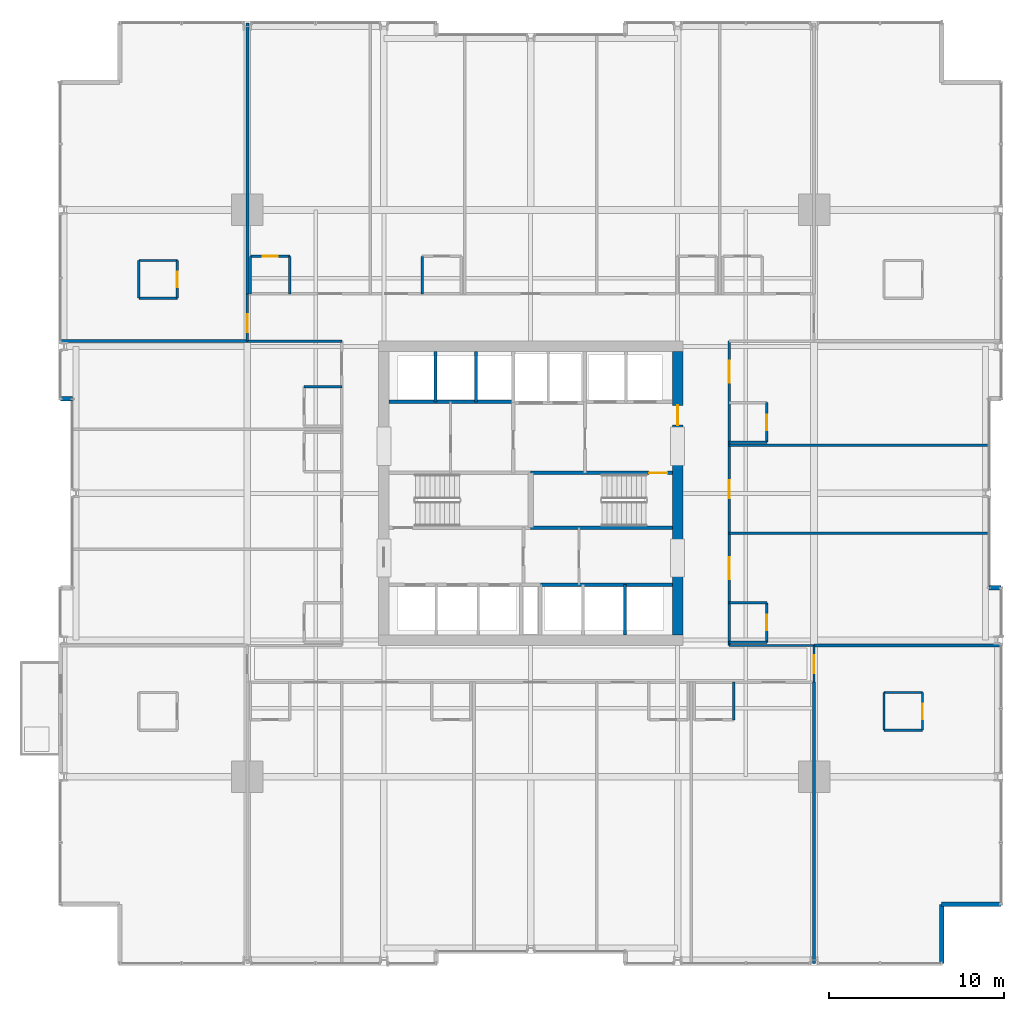
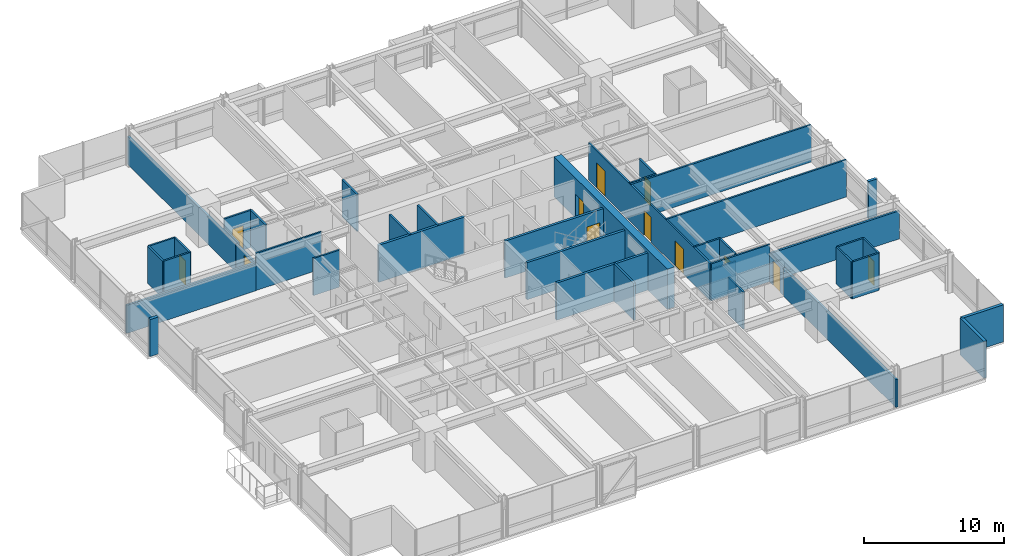
# One storey, part 32 of 38: 42 walls, 12 doors, 12 openings.
"""IFC4 building model written with IfcOpenShell, lengths in metres."""

from ifc_helpers import new_model, si_unit, direction, frame, frame_2d, origin, place, context, subcontext, project, spatial, rectangle, extrude, material, layer, layer_set, type_object, element, fill, save


model = new_model("IFC4")

# Units and contexts
model_context = context("Model", 3, precision=1e-05, world=origin(), true_north=direction((0.0, 1.0)))
body_context = subcontext(model_context, "Body", "Model", "MODEL_VIEW")
ifc_project = project(units=[si_unit("LENGTHUNIT", "METRE"), si_unit("AREAUNIT", "SQUARE_METRE"), si_unit("VOLUMEUNIT", "CUBIC_METRE"), si_unit("PLANEANGLEUNIT", "RADIAN"), si_unit("MASSUNIT", "GRAM", prefix="KILO")], contexts=[model_context])

# Site, building, storey
site_placement = place(None, origin())
site = spatial("IfcSite", under=ifc_project, at=site_placement, CompositionType="ELEMENT")
building_placement = place(site_placement, origin())
building = spatial("IfcBuilding", under=site, at=building_placement, Name="Drelvath Grand Hotel", CompositionType="ELEMENT")
storey_placement = place(building_placement, frame((0.0, 0.0, 61.199951171875)))
storey = spatial("IfcBuildingStorey", under=building, at=storey_placement, Name="L14", CompositionType="ELEMENT", Elevation=61.199951171875)

# Walls
ifc_material_1 = material(Name="Concrete C40/50", Category="concrete")
ifc_layer_1 = layer(ifc_material_1, 0.199951171875)
ifc_layer_set_1 = layer_set([ifc_layer_1], Name="Concrete C40/50")
wall_type_1 = type_object("IfcWallType", Name="Core Hoistway Fire Wall 200", PredefinedType="SOLIDWALL", material=ifc_layer_set_1)
wall_1_placement = place(storey_placement, frame((-8.10009765625, 32.219970703125, 0.0), z_axis=(0.0, 0.0, 1.0), x_axis=(1.0, 0.0, 0.0)))
element("IfcWall", 1, at=wall_1_placement, inside=storey, type_object=wall_type_1, Name="L14 Bank 3 Hoistway Wall", PredefinedType="SOLIDWALL", context=body_context, shape_type="SweptSolid", body=[
    extrude(rectangle(XDim=7.10009765625, YDim=0.199951171875, at=frame_2d((3.550048828125, 0.0))), origin(), (0.0, 0.0, 1.0), 3.239990234375),
])
wall_2_placement = place(storey_placement, frame((8.10009765625, 21.780029296875, 0.0), z_axis=(0.0, 0.0, 1.0), x_axis=(-1.0, 0.0, 0.0)))
element("IfcWall", 2, at=wall_2_placement, inside=storey, type_object=wall_type_1, Name="L14 Bank 2 Hoistway Wall", PredefinedType="SOLIDWALL", context=body_context, shape_type="SweptSolid", body=[
    extrude(rectangle(XDim=7.550048828125, YDim=0.199951171875, at=frame_2d((3.77490234375, 0.0))), origin(), (0.0, 0.0, 1.0), 3.239990234375),
])
ifc_layer_2 = layer(ifc_material_1, 0.199951171875)
ifc_layer_set_2 = layer_set([ifc_layer_2], Name="Concrete C40/50")
wall_type_2 = type_object("IfcWallType", Name="Core Shaft Fire Wall 200", PredefinedType="SOLIDWALL", material=ifc_layer_set_2)
wall_3_placement = place(storey_placement, frame((0.0, 25.0400390625, 0.0), z_axis=(0.0, 0.0, 1.0), x_axis=(1.0, 0.0, 0.0)))
element("IfcWall", 3, at=wall_3_placement, inside=storey, type_object=wall_type_2, Name="L14 Stair ST-2 South Wall", PredefinedType="SOLIDWALL", context=body_context, shape_type="SweptSolid", body=[
    extrude(rectangle(XDim=8.10009765625, YDim=0.199951171875, at=frame_2d((4.050048828125, 0.0))), origin(), (0.0, 0.0, 1.0), 3.239990234375),
])

# Wall, opening, door
wall_4_placement = place(storey_placement, frame((8.10009765625, 28.159912109375, 0.0), z_axis=(0.0, 0.0, 1.0), x_axis=(-1.0, 0.0, 0.0)))
wall_4 = element("IfcWall", 4, at=wall_4_placement, inside=storey, type_object=wall_type_2, Name="L14 Stair ST-2 North Wall", PredefinedType="SOLIDWALL", context=body_context, shape_type="SweptSolid", body=[
    extrude(rectangle(XDim=8.10009765625, YDim=0.199951171875, at=frame_2d((4.050048828125, 0.0))), origin(), (0.0, 0.0, 1.0), 3.239990234375),
])
opening_1_placement = place(wall_4_placement, frame((0.280029296875, 0.0, 0.0)))
opening_1 = element("IfcOpeningElement", 5, at=opening_1_placement, cuts=wall_4, Name="Opening D-T1G3-002", PredefinedType="OPENING", context=body_context, shape_type="SweptSolid", body=[
    extrude(rectangle(XDim=1.050048828125, YDim=2.10009765625, at=frame_2d((0.52490234375, 1.050048828125))), frame((0.0, 0.10986328125, 0.0), z_axis=(0.0, -1.0, 0.0), x_axis=(1.0, 0.0, 0.0)), (0.0, 0.0, 1.0), 0.219970703125),
])
ifc_material_2 = material(Name="Painted Steel S275", Category="steel")
door_type_1 = type_object("IfcDoorType", Name="Tower Stairwell Fire Door 1050x2100", OperationType="NOTDEFINED", PredefinedType="DOOR", material=ifc_material_2)
door_1_placement = place(opening_1_placement, origin())
door_1 = element("IfcDoor", 6, at=door_1_placement, inside=storey, type_object=door_type_1, Name="L14 Exit Stair ST-2 Door", OperationType="SINGLE_SWING_LEFT", OverallHeight=2.10009765625, OverallWidth=1.050048828125, PredefinedType="DOOR", context=body_context, shape_type="SweptSolid", body=[
    extrude(rectangle(XDim=1.050048828125, YDim=2.10009765625, at=frame_2d((0.52490234375, 1.050048828125))), frame((0.0, 0.02490234375, 0.0), z_axis=(0.0, -1.0, 0.0), x_axis=(1.0, 0.0, 0.0)), (0.0, 0.0, 1.0), 0.050048828125),
])
fill(opening_1, door_1)

# Walls
ifc_material_3 = material(Name="Gypsum Fireboard Partition")
ifc_layer_3 = layer(ifc_material_3, 0.1650390625)
ifc_layer_set_3 = layer_set([ifc_layer_3], Name="Gypsum Fireboard Partition")
wall_type_3 = type_object("IfcWallType", Name="Core Shaft Partition 165", PredefinedType="PARTITIONING", material=ifc_layer_set_3)
for number, where, z_axis, x_axis, name in (
    (7, (-5.43994140625, 32.219970703125, 0.0), (0.0, 0.0, 1.0), (0.0, 1.0, 0.0), "L14 Lift PE-7/8 Divider"),
    (8, (-3.1201171875, 32.219970703125, 0.0), (0.0, 0.0, 1.0), (0.0, 1.0, 0.0), "L14 Lift PE-8/9 Divider"),
    (9, (5.39990234375, 18.89990234375, 0.0), (0.0, 0.0, 1.0), (0.0, 1.0, 0.0), "L14 Lift PE-5/6 Divider"),
):
    element("IfcWall", number, at=place(storey_placement, frame(where, z_axis=z_axis, x_axis=x_axis)), inside=storey, type_object=wall_type_3, Name=name, PredefinedType="PARTITIONING", context=body_context, shape_type="SweptSolid", body=[
        extrude(rectangle(XDim=2.880126953125, YDim=0.1650390625, at=frame_2d((1.43994140625, 0.0))), origin(), (0.0, 0.0, 1.0), 3.239990234375),
    ])
ifc_layer_4 = layer(ifc_material_3, 0.135009765625)
ifc_layer_set_4 = layer_set([ifc_layer_4], Name="Gypsum Fireboard Partition")
wall_type_4 = type_object("IfcWallType", Name="Corridor Fire Barrier Wall 135", PredefinedType="PARTITIONING", material=ifc_layer_set_4)
wall_5_placement = place(storey_placement, frame((11.35009765625, 18.300048828125, 0.0), z_axis=(0.0, 0.0, 1.0), x_axis=(1.0, 0.0, 0.0)))
element("IfcWall", 10, at=wall_5_placement, inside=storey, type_object=wall_type_4, Name="L14 SE Spur Inner Wall", PredefinedType="PARTITIONING", context=body_context, shape_type="SweptSolid", body=[
    extrude(rectangle(XDim=4.849853515625, YDim=0.135009765625, at=frame_2d((2.4248046875, 0.0))), origin(), (0.0, 0.0, 1.0), 3.239990234375),
])
wall_6_placement = place(storey_placement, frame((-16.199951171875, 35.699951171875, 0.0), z_axis=(0.0, 0.0, 1.0), x_axis=(1.0, 0.0, 0.0)))
element("IfcWall", 11, at=wall_6_placement, inside=storey, type_object=wall_type_4, Name="L14 NW Spur Inner Wall", PredefinedType="PARTITIONING", context=body_context, shape_type="SweptSolid", body=[
    extrude(rectangle(XDim=5.39990234375, YDim=0.135009765625, at=frame_2d((2.699951171875, 0.0))), origin(), (0.0, 0.0, 1.0), 3.239990234375),
])

# Wall, openings, doors
wall_7_placement = place(storey_placement, frame((11.35009765625, 18.300048828125, 0.0), z_axis=(0.0, 0.0, 1.0), x_axis=(0.0, 1.0, 0.0)))
wall_7 = element("IfcWall", 12, at=wall_7_placement, inside=storey, type_object=wall_type_4, Name="L14 East Corridor Wall", PredefinedType="PARTITIONING", context=body_context, shape_type="SweptSolid", body=[
    extrude(rectangle(XDim=17.39990234375, YDim=0.135009765625, at=frame_2d((8.699951171875, 0.0))), origin(), (0.0, 0.0, 1.0), 3.239990234375),
])
opening_2_placement = place(wall_7_placement, frame((3.790283203125, 0.0, 0.0)))
opening_2 = element("IfcOpeningElement", 13, at=opening_2_placement, cuts=wall_7, Name="Opening D-T1G3-050", PredefinedType="OPENING", context=body_context, shape_type="SweptSolid", body=[
    extrude(rectangle(XDim=1.260009765625, YDim=2.199951171875, at=frame_2d((0.6298828125, 1.10009765625))), frame((0.0, 0.077392578125, 0.0), z_axis=(0.0, -1.0, 0.0), x_axis=(1.0, 0.0, 0.0)), (0.0, 0.0, 1.0), 0.155029296875),
])
opening_3_placement = place(wall_7_placement, frame((8.4189453125, 0.0, 0.0)))
opening_3 = element("IfcOpeningElement", 14, at=opening_3_placement, cuts=wall_7, Name="Opening D-T1G3-051", PredefinedType="OPENING", context=body_context, shape_type="SweptSolid", body=[
    extrude(rectangle(XDim=1.02001953125, YDim=2.14990234375, at=frame_2d((0.510009765625, 1.074951171875))), frame((0.0, 0.077392578125, 0.0), z_axis=(0.0, -1.0, 0.0), x_axis=(1.0, 0.0, 0.0)), (0.0, 0.0, 1.0), 0.155029296875),
])
opening_4_placement = place(wall_7_placement, frame((15.0087890625, 0.0, 0.0)))
opening_4 = element("IfcOpeningElement", 15, at=opening_4_placement, cuts=wall_7, Name="Opening D-T1G3-053", PredefinedType="OPENING", context=body_context, shape_type="SweptSolid", body=[
    extrude(rectangle(XDim=1.260009765625, YDim=2.199951171875, at=frame_2d((0.6298828125, 1.10009765625))), frame((0.0, 0.077392578125, 0.0), z_axis=(0.0, -1.0, 0.0), x_axis=(1.0, 0.0, 0.0)), (0.0, 0.0, 1.0), 0.155029296875),
])
ifc_material_4 = material(Name="Hardwood Walnut Timber", Category="wood")
door_type_2 = type_object("IfcDoorType", Name="Amenity Meeting Fire Door 1020x2150", OperationType="NOTDEFINED", PredefinedType="DOOR", material=ifc_material_4)
door_2_placement = place(opening_3_placement, origin())
door_2 = element("IfcDoor", 16, at=door_2_placement, inside=storey, type_object=door_type_2, Name="L14 Quiet Reading Library Entry Door", OperationType="SINGLE_SWING_RIGHT", OverallHeight=2.14990234375, OverallWidth=1.02001953125, PredefinedType="DOOR", context=body_context, shape_type="SweptSolid", body=[
    extrude(rectangle(XDim=1.02001953125, YDim=2.14990234375, at=frame_2d((0.510009765625, 1.074951171875))), frame((0.0, 0.02490234375, 0.0), z_axis=(0.0, -1.0, 0.0), x_axis=(1.0, 0.0, 0.0)), (0.0, 0.0, 1.0), 0.050048828125),
])
fill(opening_3, door_2)
door_type_3 = type_object("IfcDoorType", Name="Suite Entrance Fire Door 1260x2200", OperationType="NOTDEFINED", PredefinedType="DOOR", material=ifc_material_4)
door_3_placement = place(opening_2_placement, origin())
door_3 = element("IfcDoor", 17, at=door_3_placement, inside=storey, type_object=door_type_3, Name="L14 Corner Suite Entry Door", OperationType="SINGLE_SWING_LEFT", OverallHeight=2.199951171875, OverallWidth=1.260009765625, PredefinedType="DOOR", context=body_context, shape_type="SweptSolid", body=[
    extrude(rectangle(XDim=1.260009765625, YDim=2.199951171875, at=frame_2d((0.6298828125, 1.10009765625))), frame((0.0, 0.02490234375, 0.0), z_axis=(0.0, -1.0, 0.0), x_axis=(1.0, 0.0, 0.0)), (0.0, 0.0, 1.0), 0.050048828125),
])
fill(opening_2, door_3)
door_4_placement = place(opening_4_placement, origin())
door_4 = element("IfcDoor", 18, at=door_4_placement, inside=storey, type_object=door_type_3, Name="L14 Corner Suite Entry Door", OperationType="SINGLE_SWING_RIGHT", OverallHeight=2.199951171875, OverallWidth=1.260009765625, PredefinedType="DOOR", context=body_context, shape_type="SweptSolid", body=[
    extrude(rectangle(XDim=1.260009765625, YDim=2.199951171875, at=frame_2d((0.6298828125, 1.10009765625))), frame((0.0, 0.02490234375, 0.0), z_axis=(0.0, -1.0, 0.0), x_axis=(1.0, 0.0, 0.0)), (0.0, 0.0, 1.0), 0.050048828125),
])
fill(opening_4, door_4)

# Wall, opening, door
wall_8_placement = place(storey_placement, frame((16.199951171875, 16.199951171875, 0.0), z_axis=(0.0, 0.0, 1.0), x_axis=(0.0, 1.0, 0.0)))
wall_8 = element("IfcWall", 19, at=wall_8_placement, inside=storey, type_object=wall_type_4, Name="L14 South Corridor East End", PredefinedType="PARTITIONING", context=body_context, shape_type="SweptSolid", body=[
    extrude(rectangle(XDim=2.10009765625, YDim=0.135009765625, at=frame_2d((1.050048828125, 0.0))), origin(), (0.0, 0.0, 1.0), 2.451904296875),
])
opening_5_placement = place(wall_8_placement, frame((0.52001953125, 0.0, 0.0)))
opening_5 = element("IfcOpeningElement", 20, at=opening_5_placement, cuts=wall_8, Name="Opening D-T1G3-020", PredefinedType="OPENING", context=body_context, shape_type="SweptSolid", body=[
    extrude(rectangle(XDim=1.02001953125, YDim=2.14990234375, at=frame_2d((0.510009765625, 1.074951171875))), frame((0.0, 0.077392578125, 0.0), z_axis=(0.0, -1.0, 0.0), x_axis=(1.0, 0.0, 0.0)), (0.0, 0.0, 1.0), 0.155029296875),
])
door_5_placement = place(opening_5_placement, origin())
door_5 = element("IfcDoor", 21, at=door_5_placement, inside=storey, type_object=door_type_2, Name="L14 Corner Suite Entry Door", OperationType="SINGLE_SWING_LEFT", OverallHeight=2.14990234375, OverallWidth=1.02001953125, PredefinedType="DOOR", context=body_context, shape_type="SweptSolid", body=[
    extrude(rectangle(XDim=1.02001953125, YDim=2.14990234375, at=frame_2d((0.510009765625, 1.074951171875))), frame((0.0, 0.02490234375, 0.0), z_axis=(0.0, -1.0, 0.0), x_axis=(1.0, 0.0, 0.0)), (0.0, 0.0, 1.0), 0.050048828125),
])
fill(opening_5, door_5)

wall_9_placement = place(storey_placement, frame((-16.199951171875, 35.699951171875, 0.0), z_axis=(0.0, 0.0, 1.0), x_axis=(0.0, 1.0, 0.0)))
wall_9 = element("IfcWall", 22, at=wall_9_placement, inside=storey, type_object=wall_type_4, Name="L14 North Corridor West End", PredefinedType="PARTITIONING", context=body_context, shape_type="SweptSolid", body=[
    extrude(rectangle(XDim=2.699951171875, YDim=0.135009765625, at=frame_2d((1.35009765625, 0.0))), origin(), (0.0, 0.0, 1.0), 2.451904296875),
])
opening_6_placement = place(wall_9_placement, frame((0.52001953125, 0.0, 0.0)))
opening_6 = element("IfcOpeningElement", 23, at=opening_6_placement, cuts=wall_9, Name="Opening D-T1G3-022", PredefinedType="OPENING", context=body_context, shape_type="SweptSolid", body=[
    extrude(rectangle(XDim=1.02001953125, YDim=2.14990234375, at=frame_2d((0.510009765625, 1.074951171875))), frame((0.0, 0.077392578125, 0.0), z_axis=(0.0, -1.0, 0.0), x_axis=(1.0, 0.0, 0.0)), (0.0, 0.0, 1.0), 0.155029296875),
])
door_6_placement = place(opening_6_placement, origin())
door_6 = element("IfcDoor", 24, at=door_6_placement, inside=storey, type_object=door_type_2, Name="L14 Corner Suite Entry Door", OperationType="SINGLE_SWING_LEFT", OverallHeight=2.14990234375, OverallWidth=1.02001953125, PredefinedType="DOOR", context=body_context, shape_type="SweptSolid", body=[
    extrude(rectangle(XDim=1.02001953125, YDim=2.14990234375, at=frame_2d((0.510009765625, 1.074951171875))), frame((0.0, 0.02490234375, 0.0), z_axis=(0.0, -1.0, 0.0), x_axis=(1.0, 0.0, 0.0)), (0.0, 0.0, 1.0), 0.050048828125),
])
fill(opening_6, door_6)

# Walls
ifc_material_5 = material(Name="Moisture-Resistant Gypsum Board")
ifc_layer_5 = layer(ifc_material_5, 0.139892578125)
ifc_layer_set_5 = layer_set([ifc_layer_5], Name="Moisture-Resistant Gypsum Board")
wall_type_5 = type_object("IfcWallType", Name="En-Suite Plumbing Wall 140", PredefinedType="PLUMBINGWALL", material=ifc_layer_set_5)
for number, where, z_axis, x_axis, name in (
    (25, (20.199951171875, 13.4599609375, 0.0), (0.0, 0.0, 1.0), (1.0, 0.0, 0.0), "L14 Corner En-Suite South"),
    (26, (20.199951171875, 15.610107421875, 0.0), (0.0, 0.0, 1.0), (1.0, 0.0, 0.0), "L14 Corner En-Suite North"),
):
    element("IfcWall", number, at=place(storey_placement, frame(where, z_axis=z_axis, x_axis=x_axis)), inside=storey, type_object=wall_type_5, Name=name, PredefinedType="PLUMBINGWALL", context=body_context, shape_type="SweptSolid", body=[
        extrude(rectangle(XDim=2.199951171875, YDim=0.139892578125, at=frame_2d((1.10009765625, 0.0))), origin(), (0.0, 0.0, 1.0), 3.239990234375),
    ])
wall_10_placement = place(storey_placement, frame((20.199951171875, 13.4599609375, 0.0), z_axis=(0.0, 0.0, 1.0), x_axis=(0.0, 1.0, 0.0)))
element("IfcWall", 27, at=wall_10_placement, inside=storey, type_object=wall_type_5, Name="L14 Corner En-Suite West", PredefinedType="PLUMBINGWALL", context=body_context, shape_type="SweptSolid", body=[
    extrude(rectangle(XDim=2.150146484375, YDim=0.139892578125, at=frame_2d((1.0751953125, 0.0))), origin(), (0.0, 0.0, 1.0), 3.239990234375),
])

# Wall, opening, door
wall_11_placement = place(storey_placement, frame((22.39990234375, 13.4599609375, 0.0), z_axis=(0.0, 0.0, 1.0), x_axis=(0.0, 1.0, 0.0)))
wall_11 = element("IfcWall", 28, at=wall_11_placement, inside=storey, type_object=wall_type_5, Name="L14 Corner En-Suite East", PredefinedType="PLUMBINGWALL", context=body_context, shape_type="SweptSolid", body=[
    extrude(rectangle(XDim=2.150146484375, YDim=0.139892578125, at=frame_2d((1.0751953125, 0.0))), origin(), (0.0, 0.0, 1.0), 3.239990234375),
])
opening_7_placement = place(wall_11_placement, frame((0.6201171875, 0.0, 0.0)))
opening_7 = element("IfcOpeningElement", 29, at=opening_7_placement, cuts=wall_11, Name="Opening D-T1G3-019", PredefinedType="OPENING", context=body_context, shape_type="SweptSolid", body=[
    extrude(rectangle(XDim=0.8798828125, YDim=2.10009765625, at=frame_2d((0.43994140625, 1.050048828125))), frame((0.0, 0.079833984375, 0.0), z_axis=(0.0, -1.0, 0.0), x_axis=(1.0, 0.0, 0.0)), (0.0, 0.0, 1.0), 0.159912109375),
])
door_type_4 = type_object("IfcDoorType", Name="En-Suite Bathroom Door 880x2100", OperationType="NOTDEFINED", PredefinedType="DOOR", material=ifc_material_4)
door_7_placement = place(opening_7_placement, origin())
door_7 = element("IfcDoor", 30, at=door_7_placement, inside=storey, type_object=door_type_4, Name="L14 Corner En-Suite Door", OperationType="SINGLE_SWING_RIGHT", OverallHeight=2.10009765625, OverallWidth=0.8798828125, PredefinedType="DOOR", context=body_context, shape_type="SweptSolid", body=[
    extrude(rectangle(XDim=0.8798828125, YDim=2.10009765625, at=frame_2d((0.43994140625, 1.050048828125))), frame((0.0, 0.02490234375, 0.0), z_axis=(0.0, -1.0, 0.0), x_axis=(1.0, 0.0, 0.0)), (0.0, 0.0, 1.0), 0.050048828125),
])
fill(opening_7, door_7)

# Walls
for number, where, z_axis, x_axis, name in (
    (31, (-22.39990234375, 38.159912109375, 0.0), (0.0, 0.0, 1.0), (1.0, 0.0, 0.0), "L14 Corner En-Suite South"),
    (32, (-22.39990234375, 40.31005859375, 0.0), (0.0, 0.0, 1.0), (1.0, 0.0, 0.0), "L14 Corner En-Suite North"),
):
    element("IfcWall", number, at=place(storey_placement, frame(where, z_axis=z_axis, x_axis=x_axis)), inside=storey, type_object=wall_type_5, Name=name, PredefinedType="PLUMBINGWALL", context=body_context, shape_type="SweptSolid", body=[
        extrude(rectangle(XDim=2.199951171875, YDim=0.139892578125, at=frame_2d((1.10009765625, 0.0))), origin(), (0.0, 0.0, 1.0), 3.239990234375),
    ])
wall_12_placement = place(storey_placement, frame((-22.39990234375, 38.159912109375, 0.0), z_axis=(0.0, 0.0, 1.0), x_axis=(0.0, 1.0, 0.0)))
element("IfcWall", 33, at=wall_12_placement, inside=storey, type_object=wall_type_5, Name="L14 Corner En-Suite West", PredefinedType="PLUMBINGWALL", context=body_context, shape_type="SweptSolid", body=[
    extrude(rectangle(XDim=2.150146484375, YDim=0.139892578125, at=frame_2d((1.0751953125, 0.0))), origin(), (0.0, 0.0, 1.0), 3.239990234375),
])

# Wall, opening, door
wall_13_placement = place(storey_placement, frame((-20.199951171875, 38.159912109375, 0.0), z_axis=(0.0, 0.0, 1.0), x_axis=(0.0, 1.0, 0.0)))
wall_13 = element("IfcWall", 34, at=wall_13_placement, inside=storey, type_object=wall_type_5, Name="L14 Corner En-Suite East", PredefinedType="PLUMBINGWALL", context=body_context, shape_type="SweptSolid", body=[
    extrude(rectangle(XDim=2.150146484375, YDim=0.139892578125, at=frame_2d((1.0751953125, 0.0))), origin(), (0.0, 0.0, 1.0), 3.239990234375),
])
opening_8_placement = place(wall_13_placement, frame((0.6201171875, 0.0, 0.0)))
opening_8 = element("IfcOpeningElement", 35, at=opening_8_placement, cuts=wall_13, Name="Opening D-T1G3-021", PredefinedType="OPENING", context=body_context, shape_type="SweptSolid", body=[
    extrude(rectangle(XDim=0.8798828125, YDim=2.10009765625, at=frame_2d((0.43994140625, 1.050048828125))), frame((0.0, 0.079833984375, 0.0), z_axis=(0.0, -1.0, 0.0), x_axis=(1.0, 0.0, 0.0)), (0.0, 0.0, 1.0), 0.159912109375),
])
door_8_placement = place(opening_8_placement, origin())
door_8 = element("IfcDoor", 36, at=door_8_placement, inside=storey, type_object=door_type_4, Name="L14 Corner En-Suite Door", OperationType="SINGLE_SWING_RIGHT", OverallHeight=2.10009765625, OverallWidth=0.8798828125, PredefinedType="DOOR", context=body_context, shape_type="SweptSolid", body=[
    extrude(rectangle(XDim=0.8798828125, YDim=2.10009765625, at=frame_2d((0.43994140625, 1.050048828125))), frame((0.0, 0.02490234375, 0.0), z_axis=(0.0, -1.0, 0.0), x_axis=(1.0, 0.0, 0.0)), (0.0, 0.0, 1.0), 0.050048828125),
])
fill(opening_8, door_8)

# Walls
wall_14_placement = place(storey_placement, frame((11.610107421875, 16.199951171875, 0.0), z_axis=(0.0, 0.0, 1.0), x_axis=(0.0, -1.0, 0.0)))
element("IfcWall", 37, at=wall_14_placement, inside=storey, type_object=wall_type_5, Name="L14 En-Suite Right Wall", PredefinedType="PLUMBINGWALL", context=body_context, shape_type="SweptSolid", body=[
    extrude(rectangle(XDim=2.14990234375, YDim=0.139892578125, at=frame_2d((1.074951171875, 0.0))), origin(), (0.0, 0.0, 1.0), 3.239990234375),
])
wall_15_placement = place(storey_placement, frame((-16.02001953125, 38.39990234375, 0.0), z_axis=(0.0, 0.0, 1.0), x_axis=(0.0, 1.0, 0.0)))
element("IfcWall", 38, at=wall_15_placement, inside=storey, type_object=wall_type_5, Name="L14 En-Suite Left Wall", PredefinedType="PLUMBINGWALL", context=body_context, shape_type="SweptSolid", body=[
    extrude(rectangle(XDim=2.150146484375, YDim=0.139892578125, at=frame_2d((1.0751953125, 0.0))), origin(), (0.0, 0.0, 1.0), 2.451904296875),
])
wall_16_placement = place(storey_placement, frame((-13.77001953125, 38.39990234375, 0.0), z_axis=(0.0, 0.0, 1.0), x_axis=(0.0, 1.0, 0.0)))
element("IfcWall", 39, at=wall_16_placement, inside=storey, type_object=wall_type_5, Name="L14 En-Suite Right Wall", PredefinedType="PLUMBINGWALL", context=body_context, shape_type="SweptSolid", body=[
    extrude(rectangle(XDim=2.150146484375, YDim=0.139892578125, at=frame_2d((1.0751953125, 0.0))), origin(), (0.0, 0.0, 1.0), 3.239990234375),
])

# Wall, opening, door
wall_17_placement = place(storey_placement, frame((-16.02001953125, 40.550048828125, 0.0), z_axis=(0.0, 0.0, 1.0), x_axis=(1.0, 0.0, 0.0)))
wall_17 = element("IfcWall", 40, at=wall_17_placement, inside=storey, type_object=wall_type_5, Name="L14 En-Suite Front Wall", PredefinedType="PLUMBINGWALL", context=body_context, shape_type="SweptSolid", body=[
    extrude(rectangle(XDim=2.25, YDim=0.139892578125, at=frame_2d((1.125, 0.0))), origin(), (0.0, 0.0, 1.0), 3.239990234375),
])
opening_9_placement = place(wall_17_placement, frame((0.68505859375, 0.0, 0.0)))
opening_9 = element("IfcOpeningElement", 41, at=opening_9_placement, cuts=wall_17, Name="Opening D-T1G3-034", PredefinedType="OPENING", context=body_context, shape_type="SweptSolid", body=[
    extrude(rectangle(XDim=0.8798828125, YDim=2.10009765625, at=frame_2d((0.43994140625, 1.050048828125))), frame((0.0, 0.079833984375, 0.0), z_axis=(0.0, -1.0, 0.0), x_axis=(1.0, 0.0, 0.0)), (0.0, 0.0, 1.0), 0.159912109375),
])
door_9_placement = place(opening_9_placement, origin())
door_9 = element("IfcDoor", 42, at=door_9_placement, inside=storey, type_object=door_type_4, Name="L14 En-Suite Bathroom Door", OperationType="SINGLE_SWING_LEFT", OverallHeight=2.10009765625, OverallWidth=0.8798828125, PredefinedType="DOOR", context=body_context, shape_type="SweptSolid", body=[
    extrude(rectangle(XDim=0.8798828125, YDim=2.10009765625, at=frame_2d((0.43994140625, 1.050048828125))), frame((0.0, 0.02490234375, 0.0), z_axis=(0.0, -1.0, 0.0), x_axis=(1.0, 0.0, 0.0)), (0.0, 0.0, 1.0), 0.050048828125),
])
fill(opening_9, door_9)

# Walls
wall_18_placement = place(storey_placement, frame((-6.2099609375, 38.39990234375, 0.0), z_axis=(0.0, 0.0, 1.0), x_axis=(0.0, 1.0, 0.0)))
element("IfcWall", 43, at=wall_18_placement, inside=storey, type_object=wall_type_5, Name="L14 En-Suite Left Wall", PredefinedType="PLUMBINGWALL", context=body_context, shape_type="SweptSolid", body=[
    extrude(rectangle(XDim=2.150146484375, YDim=0.139892578125, at=frame_2d((1.0751953125, 0.0))), origin(), (0.0, 0.0, 1.0), 3.239990234375),
])
wall_19_placement = place(storey_placement, frame((-10.800048828125, 33.09326171875, 0.0), z_axis=(0.0, 0.0, 1.0), x_axis=(-1.0, 0.0, 0.0)))
element("IfcWall", 44, at=wall_19_placement, inside=storey, type_object=wall_type_5, Name="L14 En-Suite Right Wall", PredefinedType="PLUMBINGWALL", context=body_context, shape_type="SweptSolid", body=[
    extrude(rectangle(XDim=2.14990234375, YDim=0.139892578125, at=frame_2d((1.074951171875, 0.0))), origin(), (0.0, 0.0, 1.0), 3.239990234375),
])
wall_20_placement = place(storey_placement, frame((11.35009765625, 18.47998046875, 0.0), z_axis=(0.0, 0.0, 1.0), x_axis=(1.0, 0.0, 0.0)))
element("IfcWall", 45, at=wall_20_placement, inside=storey, type_object=wall_type_5, Name="L14 En-Suite Left Wall", PredefinedType="PLUMBINGWALL", context=body_context, shape_type="SweptSolid", body=[
    extrude(rectangle(XDim=2.14990234375, YDim=0.139892578125, at=frame_2d((1.074951171875, 0.0))), origin(), (0.0, 0.0, 1.0), 2.617431640625),
])
wall_21_placement = place(storey_placement, frame((11.35009765625, 20.72998046875, 0.0), z_axis=(0.0, 0.0, 1.0), x_axis=(1.0, 0.0, 0.0)))
element("IfcWall", 46, at=wall_21_placement, inside=storey, type_object=wall_type_5, Name="L14 En-Suite Right Wall", PredefinedType="PLUMBINGWALL", context=body_context, shape_type="SweptSolid", body=[
    extrude(rectangle(XDim=2.14990234375, YDim=0.139892578125, at=frame_2d((1.074951171875, 0.0))), origin(), (0.0, 0.0, 1.0), 3.239990234375),
])

# Wall, opening, door
wall_22_placement = place(storey_placement, frame((13.5, 18.47998046875, 0.0), z_axis=(0.0, 0.0, 1.0), x_axis=(0.0, 1.0, 0.0)))
wall_22 = element("IfcWall", 47, at=wall_22_placement, inside=storey, type_object=wall_type_5, Name="L14 En-Suite Front Wall", PredefinedType="PLUMBINGWALL", context=body_context, shape_type="SweptSolid", body=[
    extrude(rectangle(XDim=2.25, YDim=0.139892578125, at=frame_2d((1.125, 0.0))), origin(), (0.0, 0.0, 1.0), 3.239990234375),
])
opening_10_placement = place(wall_22_placement, frame((0.68505859375, 0.0, 0.0)))
opening_10 = element("IfcOpeningElement", 48, at=opening_10_placement, cuts=wall_22, Name="Opening D-T1G3-049", PredefinedType="OPENING", context=body_context, shape_type="SweptSolid", body=[
    extrude(rectangle(XDim=0.8798828125, YDim=2.10009765625, at=frame_2d((0.43994140625, 1.050048828125))), frame((0.0, 0.079833984375, 0.0), z_axis=(0.0, -1.0, 0.0), x_axis=(1.0, 0.0, 0.0)), (0.0, 0.0, 1.0), 0.159912109375),
])
door_10_placement = place(opening_10_placement, origin())
door_10 = element("IfcDoor", 49, at=door_10_placement, inside=storey, type_object=door_type_4, Name="L14 En-Suite Bathroom Door", OperationType="SINGLE_SWING_RIGHT", OverallHeight=2.10009765625, OverallWidth=0.8798828125, PredefinedType="DOOR", context=body_context, shape_type="SweptSolid", body=[
    extrude(rectangle(XDim=0.8798828125, YDim=2.10009765625, at=frame_2d((0.43994140625, 1.050048828125))), frame((0.0, 0.02490234375, 0.0), z_axis=(0.0, -1.0, 0.0), x_axis=(1.0, 0.0, 0.0)), (0.0, 0.0, 1.0), 0.050048828125),
])
fill(opening_10, door_10)

# Wall
wall_23_placement = place(storey_placement, frame((11.35009765625, 29.927490234375, 0.0), z_axis=(0.0, 0.0, 1.0), x_axis=(1.0, 0.0, 0.0)))
element("IfcWall", 50, at=wall_23_placement, inside=storey, type_object=wall_type_5, Name="L14 En-Suite Left Wall", PredefinedType="PLUMBINGWALL", context=body_context, shape_type="SweptSolid", body=[
    extrude(rectangle(XDim=2.14990234375, YDim=0.139892578125, at=frame_2d((1.074951171875, 0.0))), origin(), (0.0, 0.0, 1.0), 3.239990234375),
])

# Wall, opening, door
wall_24_placement = place(storey_placement, frame((13.5, 29.927490234375, 0.0), z_axis=(0.0, 0.0, 1.0), x_axis=(0.0, 1.0, 0.0)))
wall_24 = element("IfcWall", 51, at=wall_24_placement, inside=storey, type_object=wall_type_5, Name="L14 En-Suite Front Wall", PredefinedType="PLUMBINGWALL", context=body_context, shape_type="SweptSolid", body=[
    extrude(rectangle(XDim=2.25, YDim=0.139892578125, at=frame_2d((1.125, 0.0))), origin(), (0.0, 0.0, 1.0), 3.239990234375),
])
opening_11_placement = place(wall_24_placement, frame((0.68505859375, 0.0, 0.0)))
opening_11 = element("IfcOpeningElement", 52, at=opening_11_placement, cuts=wall_24, Name="Opening D-T1G3-052", PredefinedType="OPENING", context=body_context, shape_type="SweptSolid", body=[
    extrude(rectangle(XDim=0.8798828125, YDim=2.10009765625, at=frame_2d((0.43994140625, 1.050048828125))), frame((0.0, 0.079833984375, 0.0), z_axis=(0.0, -1.0, 0.0), x_axis=(1.0, 0.0, 0.0)), (0.0, 0.0, 1.0), 0.159912109375),
])
door_11_placement = place(opening_11_placement, origin())
door_11 = element("IfcDoor", 53, at=door_11_placement, inside=storey, type_object=door_type_4, Name="L14 En-Suite Bathroom Door", OperationType="SINGLE_SWING_LEFT", OverallHeight=2.10009765625, OverallWidth=0.8798828125, PredefinedType="DOOR", context=body_context, shape_type="SweptSolid", body=[
    extrude(rectangle(XDim=0.8798828125, YDim=2.10009765625, at=frame_2d((0.43994140625, 1.050048828125))), frame((0.0, 0.02490234375, 0.0), z_axis=(0.0, -1.0, 0.0), x_axis=(1.0, 0.0, 0.0)), (0.0, 0.0, 1.0), 0.050048828125),
])
fill(opening_11, door_11)

# Walls
ifc_material_6 = material(Name="Gypsum Acoustic Partition")
ifc_layer_6 = layer(ifc_material_6, 0.14990234375)
ifc_layer_set_6 = layer_set([ifc_layer_6], Name="Gypsum Acoustic Partition")
wall_type_6 = type_object("IfcWallType", Name="Guestroom Demising Wall 150", PredefinedType="PARTITIONING", material=ifc_layer_set_6)
for number, where, z_axis, x_axis, name in (
    (54, (11.35009765625, 24.71044921875, 0.0), (0.0, 0.0, 1.0), (1.0, 0.0, 0.0), "L14 East Demising 1"),
    (55, (11.35009765625, 29.747314453125, 0.0), (0.0, 0.0, 1.0), (1.0, 0.0, 0.0), "L14 East Demising 2"),
):
    element("IfcWall", number, at=place(storey_placement, frame(where, z_axis=z_axis, x_axis=x_axis)), inside=storey, type_object=wall_type_6, Name=name, PredefinedType="PARTITIONING", context=body_context, shape_type="SweptSolid", body=[
        extrude(rectangle(XDim=14.849853515625, YDim=0.14990234375, at=frame_2d((7.4248046875, 0.0))), origin(), (0.0, 0.0, 1.0), 3.239990234375),
    ])

# Wall, opening, door
ifc_material_7 = material(Name="Concrete f'c 70 MPa", Category="concrete")
ifc_layer_7 = layer(ifc_material_7, 0.60009765625)
ifc_layer_set_7 = layer_set([ifc_layer_7], Name="Concrete f'c 70 MPa")
wall_type_7 = type_object("IfcWallType", Name="Lower Core RC Shear Wall 600", PredefinedType="SHEAR", material=ifc_layer_set_7)
wall_25_placement = place(storey_placement, frame((8.39990234375, 35.10009765625, 0.0), z_axis=(0.0, 0.0, 1.0), x_axis=(0.0, -1.0, 0.0)))
wall_25 = element("IfcWall", 56, at=wall_25_placement, inside=storey, type_object=wall_type_7, Name="L14 Central Core Shear Wall E", PredefinedType="SHEAR", context=body_context, shape_type="SweptSolid", body=[
    extrude(rectangle(XDim=16.2001953125, YDim=0.60009765625, at=frame_2d((8.10009765625, 0.0))), origin(), (0.0, 0.0, 1.0), 3.5),
])
opening_12_placement = place(wall_25_placement, frame((3.080078125, 0.0, 0.0)))
opening_12 = element("IfcOpeningElement", 57, at=opening_12_placement, cuts=wall_25, Name="Opening D-T1G3-006", PredefinedType="OPENING", context=body_context, shape_type="SweptSolid", body=[
    extrude(rectangle(XDim=1.1201171875, YDim=2.10009765625, at=frame_2d((0.56005859375, 1.050048828125))), frame((0.0, 0.31005859375, 0.0), z_axis=(0.0, -1.0, 0.0), x_axis=(1.0, 0.0, 0.0)), (0.0, 0.0, 1.0), 0.6201171875),
])
door_type_5 = type_object("IfcDoorType", Name="FSAE Smoke Lobby Fire Door 1120x2100", OperationType="NOTDEFINED", PredefinedType="DOOR", material=ifc_material_2)
door_12_placement = place(opening_12_placement, origin())
door_12 = element("IfcDoor", 58, at=door_12_placement, inside=storey, type_object=door_type_5, Name="L14 FSAE Lobby East Corridor Door", OperationType="SINGLE_SWING_LEFT", OverallHeight=2.10009765625, OverallWidth=1.1201171875, PredefinedType="DOOR", context=body_context, shape_type="SweptSolid", body=[
    extrude(rectangle(XDim=1.1201171875, YDim=2.10009765625, at=frame_2d((0.56005859375, 1.050048828125))), frame((0.0, 0.02490234375, 0.0), z_axis=(0.0, -1.0, 0.0), x_axis=(1.0, 0.0, 0.0)), (0.0, 0.0, 1.0), 0.050048828125),
])
fill(opening_12, door_12)

# Walls
ifc_layer_8 = layer(ifc_material_6, 0.1650390625)
ifc_layer_set_8 = layer_set([ifc_layer_8], Name="Gypsum Acoustic Partition")
wall_type_8 = type_object("IfcWallType", Name="Suite Demising Wall 165", PredefinedType="PARTITIONING", material=ifc_layer_set_8)
wall_26_placement = place(storey_placement, frame((16.199951171875, 0.1201171875, 0.0), z_axis=(0.0, 0.0, 1.0), x_axis=(0.0, 1.0, 0.0)))
element("IfcWall", 59, at=wall_26_placement, inside=storey, type_object=wall_type_8, Name="L14 SE Wing Boundary Wall", PredefinedType="PARTITIONING", context=body_context, shape_type="SweptSolid", body=[
    extrude(rectangle(XDim=16.079833984375, YDim=0.1650390625, at=frame_2d((8.0400390625, 0.0))), origin(), (0.0, 0.0, 1.0), 2.451904296875),
])
wall_27_placement = place(storey_placement, frame((-16.199951171875, 38.39990234375, 0.0), z_axis=(0.0, 0.0, 1.0), x_axis=(0.0, 1.0, 0.0)))
element("IfcWall", 60, at=wall_27_placement, inside=storey, type_object=wall_type_8, Name="L14 NW Wing Boundary Wall", PredefinedType="PARTITIONING", context=body_context, shape_type="SweptSolid", body=[
    extrude(rectangle(XDim=15.47998046875, YDim=0.1650390625, at=frame_2d((7.739990234375, 0.0))), origin(), (0.0, 0.0, 1.0), 2.451904296875),
])
for number, where, z_axis, x_axis, name in (
    (61, (16.199951171875, 18.300048828125, 0.0), (0.0, 0.0, 1.0), (1.0, 0.0, 0.0), "L14 SE Corner North Wall"),
    (62, (-26.8798828125, 35.699951171875, 0.0), (0.0, 0.0, 1.0), (1.0, 0.0, 0.0), "L14 NW Corner South Wall"),
):
    element("IfcWall", number, at=place(storey_placement, frame(where, z_axis=z_axis, x_axis=x_axis)), inside=storey, type_object=wall_type_8, Name=name, PredefinedType="PARTITIONING", context=body_context, shape_type="SweptSolid", body=[
        extrude(rectangle(XDim=10.679931640625, YDim=0.1650390625, at=frame_2d((5.33984375, 0.0))), origin(), (0.0, 0.0, 1.0), 2.451904296875),
    ])
ifc_material_8 = material(Name="Pale-Metal Insulated Aluminium Spandrel Assembly", Category="aluminium")
ifc_layer_9 = layer(ifc_material_8, 0.239990234375)
ifc_layer_set_9 = layer_set([ifc_layer_9], Name="Pale-Metal Insulated Aluminium Spandrel Assembly")
wall_type_9 = type_object("IfcWallType", Name="Tower Insulated Metal Spandrel Closure Wall 240", PredefinedType="STANDARD", material=ifc_layer_set_9)
for number, where, z_axis, x_axis, name in (
    (63, (26.8798828125, 3.5, 0.0), (0.0, 0.0, 1.0), (-1.0, 0.0, 0.0), "L14 Notched Corner Return Spandrel Wall CSE1"),
    (64, (23.5, 3.5, 0.0), (0.0, 0.0, 1.0), (0.0, -1.0, 0.0), "L14 Notched Corner Return Spandrel Wall CSE2"),
):
    element("IfcWall", number, at=place(storey_placement, frame(where, z_axis=z_axis, x_axis=x_axis)), inside=storey, type_object=wall_type_9, Name=name, PredefinedType="STANDARD", context=body_context, shape_type="SweptSolid", body=[
        extrude(rectangle(XDim=3.3798828125, YDim=0.239990234375, at=frame_2d((1.68994140625, 0.0))), origin(), (0.0, 0.0, 1.0), 3.239990234375),
    ])
for number, where, z_axis, x_axis, name in (
    (65, (-26.199951171875, 32.39990234375, 0.0), (0.0, 0.0, 1.0), (-1.0, 0.0, 0.0), "L14 Notched Corner Return Spandrel Wall RW2"),
    (66, (26.199951171875, 21.60009765625, 0.0), (0.0, 0.0, 1.0), (1.0, 0.0, 0.0), "L14 Notched Corner Return Spandrel Wall RE2"),
):
    element("IfcWall", number, at=place(storey_placement, frame(where, z_axis=z_axis, x_axis=x_axis)), inside=storey, type_object=wall_type_9, Name=name, PredefinedType="STANDARD", context=body_context, shape_type="SweptSolid", body=[
        extrude(rectangle(XDim=0.679931640625, YDim=0.239990234375, at=frame_2d((0.33984375, 0.0))), origin(), (0.0, 0.0, 1.0), 3.239990234375),
    ])

save(model, "model.ifc")
